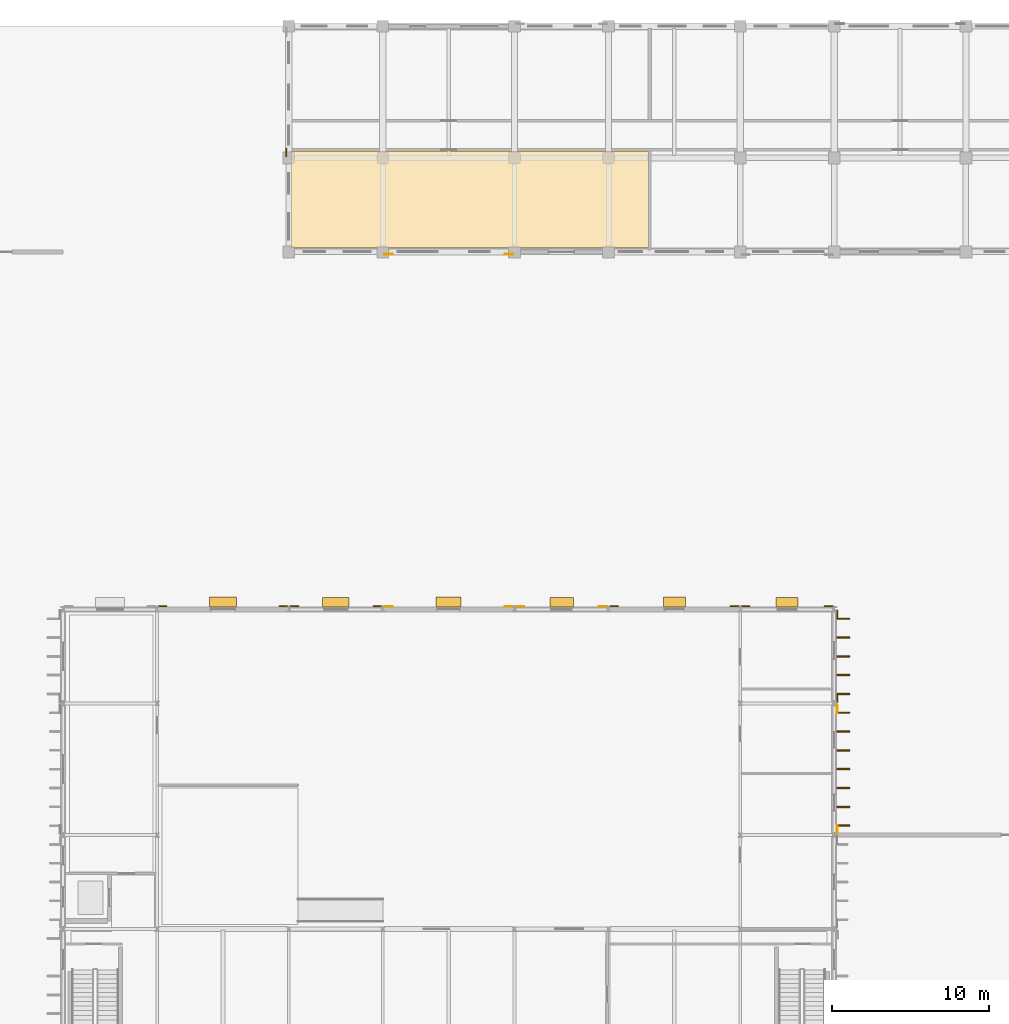
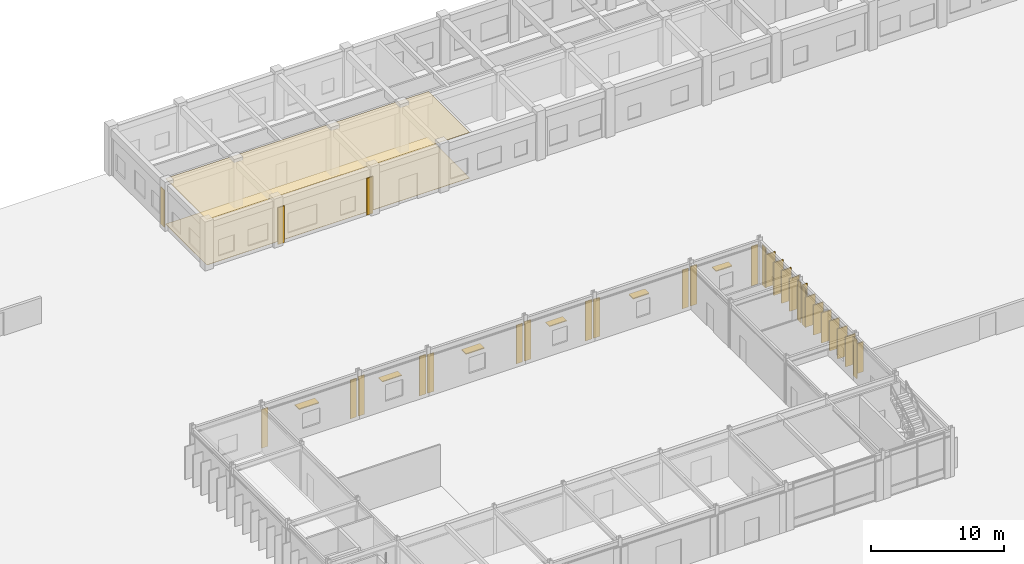
# One storey, part 61 of 67: 21 coverings, 18 shading devices.
"""IFC4 building model written with IfcOpenShell, lengths in metres."""

from ifc_helpers import new_model, si_unit, direction, frame, origin, origin_2d, place, context, subcontext, project, spatial, polyline, rectangle, outline, extrude, material, layer, layer_set, type_object, element, save


model = new_model("IFC4")

# Units and contexts
model_context = context("Model", 3, precision=1e-05, world=origin(), true_north=direction((0.0, 1.0)))
body_context = subcontext(model_context, "Body", "Model", "MODEL_VIEW")
ifc_project = project(units=[si_unit("LENGTHUNIT", "METRE"), si_unit("AREAUNIT", "SQUARE_METRE"), si_unit("VOLUMEUNIT", "CUBIC_METRE"), si_unit("PLANEANGLEUNIT", "RADIAN"), si_unit("MASSUNIT", "GRAM", prefix="KILO"), si_unit("THERMODYNAMICTEMPERATUREUNIT", "KELVIN")], contexts=[model_context])

# Site, building, storey
site_placement = place(None, origin())
site = spatial("IfcSite", under=ifc_project, at=site_placement, CompositionType="ELEMENT")
building_placement = place(site_placement, origin())
building = spatial("IfcBuilding", under=site, at=building_placement, Name="Thalorik Housing Commons", CompositionType="ELEMENT")
storey_placement = place(building_placement, origin())
storey = spatial("IfcBuildingStorey", under=building, at=storey_placement, Name="L00", CompositionType="ELEMENT", Elevation=0.0)

# Coverings
ifc_material_1 = material(Name="Cobalt blue glazed ceramic facade tile panel", Category="masonry")
ifc_layer_1 = layer(ifc_material_1, 0.06005859375, Name="Cobalt blue glazed ceramic facade tile panel", Category="masonry")
ifc_layer_set_1 = layer_set([ifc_layer_1], Name="Cobalt blue glazed ceramic facade tile panel")
covering_type_1 = type_object("IfcCoveringType", Name="ARC-CLD-BLU-60", PredefinedType="CLADDING", material=ifc_layer_set_1)
for number, where, z_axis, x_axis, name in (
    (1, (115.382080078125, 72.35009765625, 0.0498046875), (0.0, 0.0, 1.0), (0.0, 1.0, 0.0), "L00 Architectural Facade Cladding 5138"),
    (2, (115.382080078125, 80.050048828125, 0.0498046875), (0.0, 0.0, 1.0), (0.0, 1.0, 0.0), "L00 Architectural Facade Cladding 5139"),
):
    element("IfcCovering", number, at=place(storey_placement, frame(where, z_axis=z_axis, x_axis=x_axis)), inside=storey, type_object=covering_type_1, Name=name, PredefinedType="CLADDING", context=body_context, shape_type="SweptSolid", body=[
        extrude(rectangle(XDim=0.550048828125, YDim=0.06005859375, at=origin_2d()), origin(), (0.0, 0.0, 1.0), 3.550048828125),
    ])
for number, where, z_axis, x_axis, name in (
    (3, (94.449951171875, 86.58203125, 0.050048828125), (0.0, 0.0, 1.0), (-1.0, 0.0, 0.0), "L00 Architectural Facade Cladding 5148"),
    (4, (86.75, 86.58203125, 0.050048828125), (0.0, 0.0, 1.0), (-1.0, 0.0, 0.0), "L00 Architectural Facade Cladding 5149"),
):
    element("IfcCovering", number, at=place(storey_placement, frame(where, z_axis=z_axis, x_axis=x_axis)), inside=storey, type_object=covering_type_1, Name=name, PredefinedType="CLADDING", context=body_context, shape_type="SweptSolid", body=[
        extrude(rectangle(XDim=0.550048828125, YDim=0.06005859375, at=origin_2d()), origin(), (0.0, 0.0, 1.0), 3.5458984375),
    ])
ifc_material_2 = material(Name="Precast concrete C40/50", Category="concrete")
ifc_layer_2 = layer(ifc_material_2, 0.074951171875, Name="Precast concrete C40/50", Category="concrete")
ifc_layer_set_2 = layer_set([ifc_layer_2], Name="Precast concrete C40/50")
covering_type_2 = type_object("IfcCoveringType", Name="ARC-CLD-PIER-75", PredefinedType="CLADDING", material=ifc_layer_set_2)
for number, where, z_axis, x_axis, name in (
    (5, (114.85009765625, 86.589599609375, 0.050048828125), (0.0, 0.0, 1.0), (-1.0, 0.0, 0.0), "L00 Architectural Facade Cladding 5142"),
    (6, (109.550048828125, 86.589599609375, 0.050048828125), (0.0, 0.0, 1.0), (-1.0, 0.0, 0.0), "L00 Architectural Facade Cladding 5143"),
):
    element("IfcCovering", number, at=place(storey_placement, frame(where, z_axis=z_axis, x_axis=x_axis)), inside=storey, type_object=covering_type_2, Name=name, PredefinedType="CLADDING", context=body_context, shape_type="SweptSolid", body=[
        extrude(rectangle(XDim=0.550048828125, YDim=0.074951171875, at=origin_2d()), origin(), (0.0, 0.0, 1.0), 3.6220703125),
    ])
for number, where, z_axis, x_axis, name in (
    (7, (80.050048828125, 86.589599609375, 0.050048828125), (0.0, 0.0, 1.0), (-1.0, 0.0, 0.0), "L00 Architectural Facade Cladding 5152"),
    (8, (72.35009765625, 86.589599609375, 0.050048828125), (0.0, 0.0, 1.0), (-1.0, 0.0, 0.0), "L00 Architectural Facade Cladding 5153"),
):
    element("IfcCovering", number, at=place(storey_placement, frame(where, z_axis=z_axis, x_axis=x_axis)), inside=storey, type_object=covering_type_2, Name=name, PredefinedType="CLADDING", context=body_context, shape_type="SweptSolid", body=[
        extrude(rectangle(XDim=0.550048828125, YDim=0.074951171875, at=origin_2d()), origin(), (0.0, 0.0, 1.0), 3.5458984375),
    ])
ifc_layer_3 = layer(ifc_material_2, 0.090087890625, Name="Precast concrete C40/50", Category="concrete")
ifc_layer_set_3 = layer_set([ifc_layer_3], Name="Precast concrete C40/50")
covering_type_3 = type_object("IfcCoveringType", Name="ARC-CLD-PIER-90", PredefinedType="CLADDING", material=ifc_layer_set_3)
for number, where, z_axis, x_axis, name in (
    (9, (108.85009765625, 86.596923828125, 0.050048828125), (0.0, 0.0, 1.0), (-1.0, 0.0, 0.0), "L00 Architectural Facade Cladding 5144"),
    (10, (101.14990234375, 86.596923828125, 0.050048828125), (0.0, 0.0, 1.0), (-1.0, 0.0, 0.0), "L00 Architectural Facade Cladding 5145"),
):
    element("IfcCovering", number, at=place(storey_placement, frame(where, z_axis=z_axis, x_axis=x_axis)), inside=storey, type_object=covering_type_3, Name=name, PredefinedType="CLADDING", context=body_context, shape_type="SweptSolid", body=[
        extrude(rectangle(XDim=0.550048828125, YDim=0.090087890625, at=origin_2d()), origin(), (0.0, 0.0, 1.0), 3.5458984375),
    ])
ifc_material_3 = material(Name="Terracotta red mineral fibre-cement panel", Category="masonry")
ifc_layer_4 = layer(ifc_material_3, 0.054931640625, Name="Terracotta red mineral fibre-cement panel", Category="masonry")
ifc_layer_set_4 = layer_set([ifc_layer_4], Name="Terracotta red mineral fibre-cement panel")
covering_type_4 = type_object("IfcCoveringType", Name="ARC-CLD-RED-55", PredefinedType="CLADDING", material=ifc_layer_set_4)
for number, where, z_axis, x_axis, name in (
    (11, (86.75, 109.052978515625, 0.0498046875), (0.0, 0.0, 1.0), (1.0, 0.0, 0.0), "L00 Architectural Facade Cladding 1485"),
    (12, (94.449951171875, 109.052978515625, 0.0498046875), (0.0, 0.0, 1.0), (1.0, 0.0, 0.0), "L00 Architectural Facade Cladding 1486"),
):
    element("IfcCovering", number, at=place(storey_placement, frame(where, z_axis=z_axis, x_axis=x_axis)), inside=storey, type_object=covering_type_4, Name=name, PredefinedType="CLADDING", context=body_context, shape_type="SweptSolid", body=[
        extrude(rectangle(XDim=0.550048828125, YDim=0.054931640625, at=origin_2d()), origin(), (0.0, 0.0, 1.0), 3.385009765625),
    ])
for number, where, z_axis, x_axis, name in (
    (13, (100.449951171875, 86.57958984375, 0.050048828125), (0.0, 0.0, 1.0), (-1.0, 0.0, 0.0), "L00 Architectural Facade Cladding 5146"),
    (14, (95.14990234375, 86.57958984375, 0.050048828125), (0.0, 0.0, 1.0), (-1.0, 0.0, 0.0), "L00 Architectural Facade Cladding 5147"),
):
    element("IfcCovering", number, at=place(storey_placement, frame(where, z_axis=z_axis, x_axis=x_axis)), inside=storey, type_object=covering_type_4, Name=name, PredefinedType="CLADDING", context=body_context, shape_type="SweptSolid", body=[
        extrude(rectangle(XDim=0.550048828125, YDim=0.054931640625, at=origin_2d()), origin(), (0.0, 0.0, 1.0), 3.6220703125),
    ])
ifc_material_4 = material(Name="Mineral ochre architectural terracotta panel", Category="masonry")
ifc_layer_5 = layer(ifc_material_4, 0.06494140625, Name="Mineral ochre architectural terracotta panel", Category="masonry")
ifc_layer_set_5 = layer_set([ifc_layer_5], Name="Mineral ochre architectural terracotta panel")
covering_type_5 = type_object("IfcCoveringType", Name="ARC-CLD-YEL-65", PredefinedType="CLADDING", material=ifc_layer_set_5)
covering_1_placement = place(storey_placement, frame((80.248046875, 115.550048828125, 0.0498046875), z_axis=(0.0, 0.0, 1.0), x_axis=(0.0, -1.0, 0.0)))
element("IfcCovering", 15, at=covering_1_placement, inside=storey, type_object=covering_type_5, Name="L00 Architectural Facade Cladding 1484", PredefinedType="CLADDING", context=body_context, shape_type="SweptSolid", body=[
    extrude(rectangle(XDim=0.550048828125, YDim=0.06494140625, at=origin_2d()), origin(), (0.0, 0.0, 1.0), 3.385009765625),
])
for number, where, z_axis, x_axis, name in (
    (16, (115.384521484375, 80.75, 0.0498046875), (0.0, 0.0, 1.0), (0.0, 1.0, 0.0), "L00 Architectural Facade Cladding 5140"),
    (17, (115.384521484375, 86.050048828125, 0.0498046875), (0.0, 0.0, 1.0), (0.0, 1.0, 0.0), "L00 Architectural Facade Cladding 5141"),
):
    element("IfcCovering", number, at=place(storey_placement, frame(where, z_axis=z_axis, x_axis=x_axis)), inside=storey, type_object=covering_type_5, Name=name, PredefinedType="CLADDING", context=body_context, shape_type="SweptSolid", body=[
        extrude(rectangle(XDim=0.550048828125, YDim=0.06494140625, at=origin_2d()), origin(), (0.0, 0.0, 1.0), 3.672119140625),
    ])
for number, where, z_axis, x_axis, name in (
    (18, (86.050048828125, 86.58447265625, 0.050048828125), (0.0, 0.0, 1.0), (-1.0, 0.0, 0.0), "L00 Architectural Facade Cladding 5150"),
    (19, (80.75, 86.58447265625, 0.050048828125), (0.0, 0.0, 1.0), (-1.0, 0.0, 0.0), "L00 Architectural Facade Cladding 5151"),
):
    element("IfcCovering", number, at=place(storey_placement, frame(where, z_axis=z_axis, x_axis=x_axis)), inside=storey, type_object=covering_type_5, Name=name, PredefinedType="CLADDING", context=body_context, shape_type="SweptSolid", body=[
        extrude(rectangle(XDim=0.550048828125, YDim=0.06494140625, at=origin_2d()), origin(), (0.0, 0.0, 1.0), 3.6220703125),
    ])
ifc_material_5 = material(Name="Moisture-resistant gypsum bathroom ceiling")
ifc_layer_6 = layer(ifc_material_5, 0.02490234375, Name="Moisture-resistant gypsum bathroom ceiling")
ifc_layer_set_6 = layer_set([ifc_layer_6], Name="Moisture-resistant gypsum bathroom ceiling")
covering_type_6 = type_object("IfcCoveringType", Name="ARC-COV-CEIL-04", PredefinedType="CEILING", material=ifc_layer_set_6)
covering_2_placement = place(storey_placement, frame((0.0, 0.0, 4.175048828125)))
element("IfcCovering", 20, at=covering_2_placement, inside=storey, type_object=covering_type_6, Name="L00 Residents Lounge Suspended Ceiling", PredefinedType="CEILING", context=body_context, shape_type="SweptSolid", body=[
    extrude(outline(polyline([(103.340087890625, 109.43994140625), (103.340087890625, 115.639892578125), (80.5400390625, 115.639892578125), (80.5400390625, 109.43994140625), (103.340087890625, 109.43994140625)])), origin(), (0.0, 0.0, 1.0), 0.02490234375),
])
ifc_material_6 = material(Name="Sprung Brazilian oak assembly hall timber floor", Category="wood")
ifc_layer_7 = layer(ifc_material_6, 0.02392578125, Name="Sprung Brazilian oak assembly hall timber floor", Category="wood")
ifc_layer_set_7 = layer_set([ifc_layer_7], Name="Sprung Brazilian oak assembly hall timber floor")
covering_type_7 = type_object("IfcCoveringType", Name="ARC-COV-FLR-04", PredefinedType="FLOORING", material=ifc_layer_set_7)
covering_3_placement = place(storey_placement, origin())
element("IfcCovering", 21, at=covering_3_placement, inside=storey, type_object=covering_type_7, Name="L00 Residents Lounge Flooring", PredefinedType="FLOORING", context=body_context, shape_type="SweptSolid", body=[
    extrude(outline(polyline([(103.340087890625, 109.43994140625), (103.340087890625, 115.639892578125), (80.5400390625, 115.639892578125), (80.5400390625, 109.43994140625), (103.340087890625, 109.43994140625)])), origin(), (0.0, 0.0, 1.0), 0.02392578125),
])

# Shading devices
shading_device_type_1 = type_object("IfcShadingDeviceType", Name="ARC-FIN-PC-850A", PredefinedType="USERDEFINED", material=ifc_material_2)
for number, where, z_axis, x_axis, name in (
    (22, (115.77490234375, 72.60009765625, 0.1201171875), (0.0, 0.0, 1.0), (0.0, 1.0, 0.0), "L00 Vertical Precast Solar Fin 11"),
    (23, (115.77490234375, 73.800048828125, 0.1201171875), (0.0, 0.0, 1.0), (0.0, 1.0, 0.0), "L00 Vertical Precast Solar Fin 12"),
    (24, (115.77490234375, 75.0, 0.1201171875), (0.0, 0.0, 1.0), (0.0, 1.0, 0.0), "L00 Vertical Precast Solar Fin 13"),
    (25, (115.77490234375, 76.199951171875, 0.1201171875), (0.0, 0.0, 1.0), (0.0, 1.0, 0.0), "L00 Vertical Precast Solar Fin 14"),
    (26, (115.77490234375, 77.39990234375, 0.1201171875), (0.0, 0.0, 1.0), (0.0, 1.0, 0.0), "L00 Vertical Precast Solar Fin 15"),
    (27, (115.77490234375, 78.60009765625, 0.1201171875), (0.0, 0.0, 1.0), (0.0, 1.0, 0.0), "L00 Vertical Precast Solar Fin 16"),
    (28, (115.77490234375, 79.800048828125, 0.1201171875), (0.0, 0.0, 1.0), (0.0, 1.0, 0.0), "L00 Vertical Precast Solar Fin 17"),
):
    element("IfcShadingDevice", number, at=place(storey_placement, frame(where, z_axis=z_axis, x_axis=x_axis)), inside=storey, type_object=shading_device_type_1, Name=name, ObjectType="FIN", PredefinedType="USERDEFINED", context=body_context, shape_type="SweptSolid", body=[
        extrude(rectangle(XDim=0.090087890625, YDim=0.85009765625, at=origin_2d()), origin(), (0.0, 0.0, 1.0), 2.75),
    ])
shading_device_type_2 = type_object("IfcShadingDeviceType", Name="ARC-FIN-PC-850B", PredefinedType="USERDEFINED", material=ifc_material_2)
for number, where, z_axis, x_axis, name in (
    (29, (115.77490234375, 81.0, 0.1201171875), (0.0, 0.0, 1.0), (0.0, 1.0, 0.0), "L00 Vertical Precast Solar Fin 18"),
    (30, (115.77490234375, 82.199951171875, 0.1201171875), (0.0, 0.0, 1.0), (0.0, 1.0, 0.0), "L00 Vertical Precast Solar Fin 19"),
    (31, (115.77490234375, 83.39990234375, 0.1201171875), (0.0, 0.0, 1.0), (0.0, 1.0, 0.0), "L00 Vertical Precast Solar Fin 20"),
    (32, (115.77490234375, 84.60009765625, 0.1201171875), (0.0, 0.0, 1.0), (0.0, 1.0, 0.0), "L00 Vertical Precast Solar Fin 21"),
    (33, (115.77490234375, 85.800048828125, 0.1201171875), (0.0, 0.0, 1.0), (0.0, 1.0, 0.0), "L00 Vertical Precast Solar Fin 22"),
):
    element("IfcShadingDevice", number, at=place(storey_placement, frame(where, z_axis=z_axis, x_axis=x_axis)), inside=storey, type_object=shading_device_type_2, Name=name, ObjectType="FIN", PredefinedType="USERDEFINED", context=body_context, shape_type="SweptSolid", body=[
        extrude(rectangle(XDim=0.090087890625, YDim=0.85009765625, at=origin_2d()), origin(), (0.0, 0.0, 1.0), 3.0),
    ])
ifc_material_7 = material(Name="Anodised aluminium sun-louvre blade", Category="aluminium")
shading_device_type_3 = type_object("IfcShadingDeviceType", Name="ARC-LVR-ALU-600", PredefinedType="JALOUSIE", material=ifc_material_7)
shading_device_1_placement = place(storey_placement, frame((112.199951171875, 86.85009765625, 2.43994140625), z_axis=(0.0, 0.0, 1.0), x_axis=(-1.0, 0.0, 0.0)))
element("IfcShadingDevice", 34, at=shading_device_1_placement, inside=storey, type_object=shading_device_type_3, Name="L00 Horizontal Sun-Louvre 23", PredefinedType="JALOUSIE", context=body_context, shape_type="SweptSolid", body=[
    extrude(rectangle(XDim=1.39990234375, YDim=0.60009765625, at=origin_2d()), origin(), (0.0, 0.0, 1.0), 0.080078125),
])
shading_device_2_placement = place(storey_placement, frame((97.800048828125, 86.85009765625, 2.43994140625), z_axis=(0.0, 0.0, 1.0), x_axis=(-1.0, 0.0, 0.0)))
element("IfcShadingDevice", 35, at=shading_device_2_placement, inside=storey, type_object=shading_device_type_3, Name="L00 Horizontal Sun-Louvre 25", PredefinedType="JALOUSIE", context=body_context, shape_type="SweptSolid", body=[
    extrude(rectangle(XDim=1.5, YDim=0.60009765625, at=origin_2d()), origin(), (0.0, 0.0, 1.0), 0.080078125),
])
shading_device_3_placement = place(storey_placement, frame((83.39990234375, 86.85009765625, 2.43994140625), z_axis=(0.0, 0.0, 1.0), x_axis=(-1.0, 0.0, 0.0)))
element("IfcShadingDevice", 36, at=shading_device_3_placement, inside=storey, type_object=shading_device_type_3, Name="L00 Horizontal Sun-Louvre 27", PredefinedType="JALOUSIE", context=body_context, shape_type="SweptSolid", body=[
    extrude(rectangle(XDim=1.699951171875, YDim=0.60009765625, at=origin_2d()), origin(), (0.0, 0.0, 1.0), 0.080078125),
])
ifc_material_8 = material(Name="Mineral ochre aluminium sun-louvre", Category="aluminium")
shading_device_type_4 = type_object("IfcShadingDeviceType", Name="ARC-LVR-OCH-650", PredefinedType="JALOUSIE", material=ifc_material_8)
shading_device_4_placement = place(storey_placement, frame((105.0, 86.875, 2.43505859375), z_axis=(0.0, 0.0, 1.0), x_axis=(-1.0, 0.0, 0.0)))
element("IfcShadingDevice", 37, at=shading_device_4_placement, inside=storey, type_object=shading_device_type_4, Name="L00 Horizontal Sun-Louvre 24", PredefinedType="JALOUSIE", context=body_context, shape_type="SweptSolid", body=[
    extrude(rectangle(XDim=1.39990234375, YDim=0.64990234375, at=origin_2d()), origin(), (0.0, 0.0, 1.0), 0.090087890625),
])
shading_device_5_placement = place(storey_placement, frame((90.60009765625, 86.875, 2.43505859375), z_axis=(0.0, 0.0, 1.0), x_axis=(-1.0, 0.0, 0.0)))
element("IfcShadingDevice", 38, at=shading_device_5_placement, inside=storey, type_object=shading_device_type_4, Name="L00 Horizontal Sun-Louvre 26", PredefinedType="JALOUSIE", context=body_context, shape_type="SweptSolid", body=[
    extrude(rectangle(XDim=1.60009765625, YDim=0.64990234375, at=origin_2d()), origin(), (0.0, 0.0, 1.0), 0.090087890625),
])
shading_device_6_placement = place(storey_placement, frame((76.199951171875, 86.875, 2.43505859375), z_axis=(0.0, 0.0, 1.0), x_axis=(-1.0, 0.0, 0.0)))
element("IfcShadingDevice", 39, at=shading_device_6_placement, inside=storey, type_object=shading_device_type_4, Name="L00 Horizontal Sun-Louvre 28", PredefinedType="JALOUSIE", context=body_context, shape_type="SweptSolid", body=[
    extrude(rectangle(XDim=1.75, YDim=0.64990234375, at=origin_2d()), origin(), (0.0, 0.0, 1.0), 0.090087890625),
])

save(model, "model.ifc")
